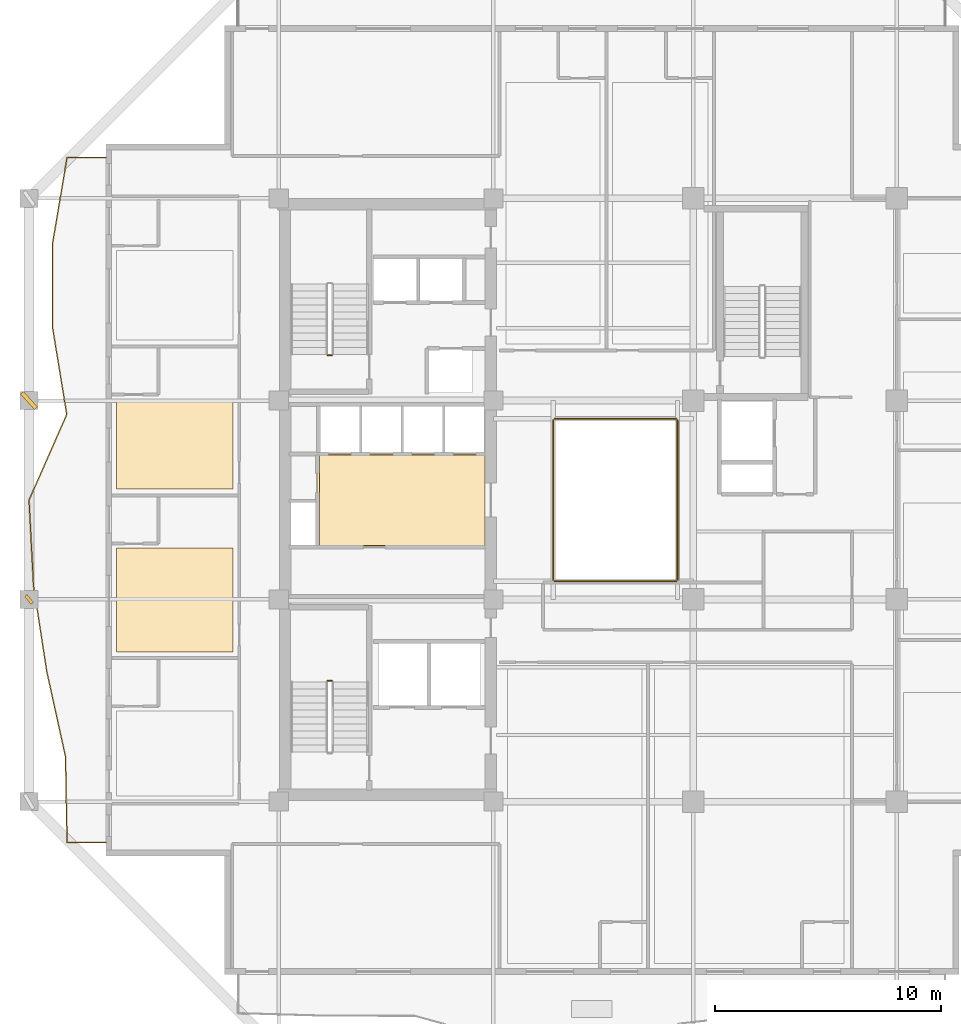
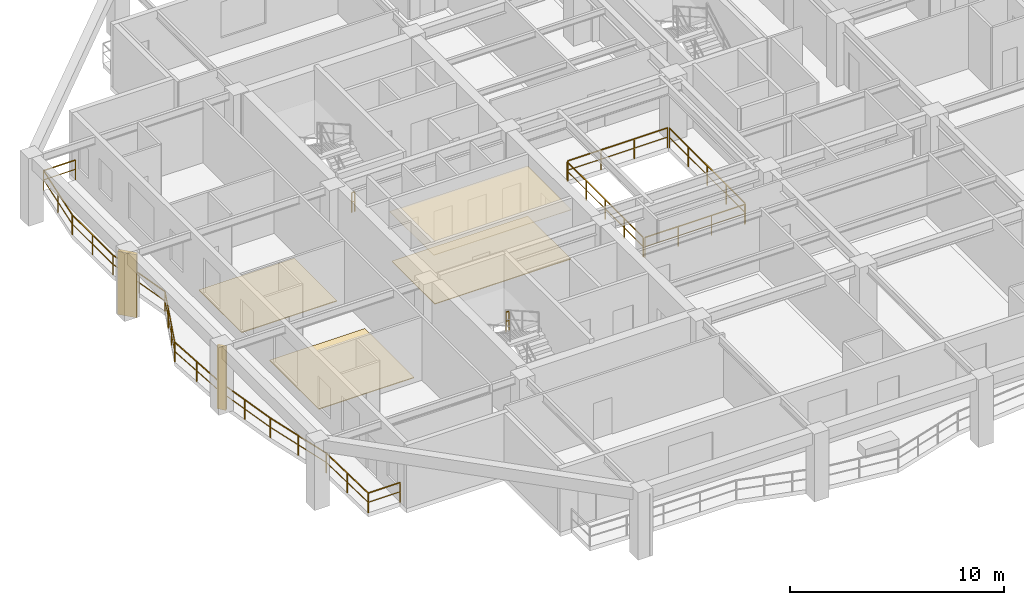
# One storey, part 9 of 13: 7 railings, 4 coverings, 2 shading devices.
"""IFC4 building model written with IfcOpenShell, lengths in metres."""

from ifc_helpers import new_model, si_unit, direction, frame, origin, origin_2d, place, context, subcontext, project, spatial, polyline, rectangle, outline, extrude, material, layer, layer_set, type_object, element, save


model = new_model("IFC4")

# Units and contexts
model_context = context("Model", 3, precision=1e-05, world=origin(), true_north=direction((0.0, 1.0)))
body_context = subcontext(model_context, "Body", "Model", "MODEL_VIEW")
ifc_project = project(units=[si_unit("LENGTHUNIT", "METRE"), si_unit("AREAUNIT", "SQUARE_METRE"), si_unit("VOLUMEUNIT", "CUBIC_METRE"), si_unit("PLANEANGLEUNIT", "RADIAN"), si_unit("MASSUNIT", "GRAM", prefix="KILO")], contexts=[model_context])

# Site, building, storey
site_placement = place(None, origin())
site = spatial("IfcSite", under=ifc_project, at=site_placement, CompositionType="ELEMENT")
building_placement = place(site_placement, origin())
building = spatial("IfcBuilding", under=site, at=building_placement, Name="Kundavana Baori Tower", CompositionType="ELEMENT")
storey_placement = place(building_placement, frame((0.0, 0.0, 161.75)))
storey = spatial("IfcBuildingStorey", under=building, at=storey_placement, Name="L39", CompositionType="ELEMENT", Elevation=161.75)

# Coverings
ifc_material_1 = material(Name="Honed Kota Stone and Terrazzo Flooring", Category="masonry")
ifc_layer_1 = layer(ifc_material_1, 0.0400390625, Name="COV-FLR-TERR-40")
ifc_layer_set_1 = layer_set([ifc_layer_1], Name="Honed Kota Stone and Terrazzo Flooring")
covering_type_1 = type_object("IfcCoveringType", Name="COV-FLR-TERR-40", PredefinedType="FLOORING", material=ifc_layer_set_1)
covering_1_placement = place(storey_placement, origin())
element("IfcCovering", 1, at=covering_1_placement, inside=storey, type_object=covering_type_1, Name="L39 Room Finished Stone Flooring 2", PredefinedType="FLOORING", context=body_context, shape_type="SweptSolid", body=[
    extrude(outline(polyline([(8.280029296875, 21.8798828125), (13.419921875, 21.8798828125), (13.419921875, 26.469970703125), (8.280029296875, 26.469970703125), (8.280029296875, 21.8798828125)])), origin(), (0.0, 0.0, 1.0), 0.0400390625),
])
covering_2_placement = place(storey_placement, origin())
element("IfcCovering", 2, at=covering_2_placement, inside=storey, type_object=covering_type_1, Name="L39 Room Finished Stone Flooring 3", PredefinedType="FLOORING", context=body_context, shape_type="SweptSolid", body=[
    extrude(outline(polyline([(8.280029296875, 29.080078125), (13.419921875, 29.080078125), (13.419921875, 33.070068359375), (8.280029296875, 33.070068359375), (8.280029296875, 29.080078125)])), origin(), (0.0, 0.0, 1.0), 0.0400390625),
])
covering_3_placement = place(storey_placement, origin())
element("IfcCovering", 3, at=covering_3_placement, inside=storey, type_object=covering_type_1, Name="L39 Core Lift Lobby Kota Stone Flooring", PredefinedType="FLOORING", context=body_context, shape_type="SweptSolid", body=[
    extrude(outline(polyline([(17.25, 26.580078125), (24.580078125, 26.580078125), (24.580078125, 30.60009765625), (17.25, 30.60009765625), (17.25, 26.580078125)])), origin(), (0.0, 0.0, 1.0), 0.0400390625),
])
ifc_material_2 = material(Name="Perforated Acoustic Mineral Fibre Ceiling Board")
ifc_layer_2 = layer(ifc_material_2, 0.02490234375, Name="COV-INT-CEIL")
ifc_layer_set_2 = layer_set([ifc_layer_2], Name="Perforated Acoustic Mineral Fibre Ceiling Board")
covering_type_2 = type_object("IfcCoveringType", Name="COV-INT-CEIL", PredefinedType="CEILING", material=ifc_layer_set_2)
covering_4_placement = place(storey_placement, frame((0.0, 0.0, 2.85009765625)))
element("IfcCovering", 4, at=covering_4_placement, inside=storey, type_object=covering_type_2, Name="L39 Core Lift Lobby Acoustic Ceiling", PredefinedType="CEILING", context=body_context, shape_type="SweptSolid", body=[
    extrude(outline(polyline([(17.159912109375, 26.52001953125), (24.580078125, 26.52001953125), (24.580078125, 30.639892578125), (17.159912109375, 30.639892578125), (17.159912109375, 26.52001953125)])), origin(), (0.0, 0.0, 1.0), 0.02490234375),
])

# Railings
ifc_material_3 = material(Name="Architectural Patinated Bronze Metalwork")
railing_type_1 = type_object("IfcRailingType", Name="RL-BAL-1150", PredefinedType="BALUSTRADE", material=ifc_material_3)
railing_1_placement = place(storey_placement, frame((7.800048828125, 13.449951171875, 0.0)))
element("IfcRailing", 5, at=railing_1_placement, inside=storey, type_object=railing_type_1, Name="L39 Loggia Balcony Balustrade W", PredefinedType="BALUSTRADE", context=body_context, shape_type="SweptSolid", body=[
    extrude(rectangle(XDim=0.048095703125, YDim=0.048095703125, at=origin_2d()), frame((0.0, 0.0, 1.1259765625), z_axis=(-1.0, 0.0, 0.0), x_axis=(0.0, -1.0, 0.0)), (0.0, 0.0, 1.0), 1.719970703125),
    extrude(rectangle(XDim=0.03125, YDim=0.03125, at=origin_2d()), frame((0.0, 0.0, 0.597900390625), z_axis=(-1.0, 0.0, 0.0), x_axis=(0.0, -1.0, 0.0)), (0.0, 0.0, 1.0), 1.719970703125),
    extrude(rectangle(XDim=0.048095703125, YDim=0.048095703125, at=origin_2d()), frame((-1.719970703125, 0.0, 1.1259765625), z_axis=(-0.018236203852, 0.999833706608, 0.0), x_axis=(-0.999833706608, -0.018236203852, 0.0)), (0.0, 0.0, 1.0), 3.788818359375),
    extrude(rectangle(XDim=0.03125, YDim=0.03125, at=origin_2d()), frame((-1.719970703125, 0.0, 0.597900390625), z_axis=(-0.018236203852, 0.999833706608, 0.0), x_axis=(-0.999833706608, -0.018236203852, 0.0)), (0.0, 0.0, 1.0), 3.788818359375),
    extrude(rectangle(XDim=0.048095703125, YDim=0.048095703125, at=origin_2d()), frame((-1.7890625, 3.7880859375, 1.1259765625), z_axis=(-0.214836558169, 0.976650015755, 0.0), x_axis=(-0.976650015755, -0.214836558169, 0.0)), (0.0, 0.0, 1.0), 3.87744140625),
    extrude(rectangle(XDim=0.03125, YDim=0.03125, at=origin_2d()), frame((-1.7890625, 3.7880859375, 0.597900390625), z_axis=(-0.214836558169, 0.976650015755, 0.0), x_axis=(-0.976650015755, -0.214836558169, 0.0)), (0.0, 0.0, 1.0), 3.87744140625),
    extrude(rectangle(XDim=0.048095703125, YDim=0.048095703125, at=origin_2d()), frame((-2.6220703125, 7.574951171875, 1.1259765625), z_axis=(-0.15165495858, 0.988433494747, 0.0), x_axis=(-0.988433494747, -0.15165495858, 0.0)), (0.0, 0.0, 1.0), 3.83154296875),
    extrude(rectangle(XDim=0.03125, YDim=0.03125, at=origin_2d()), frame((-2.6220703125, 7.574951171875, 0.597900390625), z_axis=(-0.15165495858, 0.988433494747, 0.0), x_axis=(-0.988433494747, -0.15165495858, 0.0)), (0.0, 0.0, 1.0), 3.83154296875),
    extrude(rectangle(XDim=0.048095703125, YDim=0.048095703125, at=origin_2d()), frame((-3.203125, 11.362060546875, 1.1259765625), z_axis=(-0.051940622011, 0.998650174879, 0.0), x_axis=(-0.998650174879, -0.051940622011, 0.0)), (0.0, 0.0, 1.0), 3.793212890625),
    extrude(rectangle(XDim=0.03125, YDim=0.03125, at=origin_2d()), frame((-3.203125, 11.362060546875, 0.597900390625), z_axis=(-0.051940622011, 0.998650174879, 0.0), x_axis=(-0.998650174879, -0.051940622011, 0.0)), (0.0, 0.0, 1.0), 3.793212890625),
    extrude(rectangle(XDim=0.048095703125, YDim=0.048095703125, at=origin_2d()), frame((-3.400146484375, 15.150146484375, 1.1259765625), z_axis=(0.402807807937, 0.915284584086, 0.0), x_axis=(-0.915284584086, 0.402807807937, 0.0)), (0.0, 0.0, 1.0), 4.138427734375),
    extrude(rectangle(XDim=0.03125, YDim=0.03125, at=origin_2d()), frame((-3.400146484375, 15.150146484375, 0.597900390625), z_axis=(0.402807807937, 0.915284584086, 0.0), x_axis=(-0.915284584086, 0.402807807937, 0.0)), (0.0, 0.0, 1.0), 4.138427734375),
    extrude(rectangle(XDim=0.048095703125, YDim=0.048095703125, at=origin_2d()), frame((-1.733154296875, 18.93798828125, 1.1259765625), z_axis=(-0.16177807389, 0.986827165622, 0.0), x_axis=(-0.986827165622, -0.16177807389, 0.0)), (0.0, 0.0, 1.0), 3.837646484375),
    extrude(rectangle(XDim=0.03125, YDim=0.03125, at=origin_2d()), frame((-1.733154296875, 18.93798828125, 0.597900390625), z_axis=(-0.16177807389, 0.986827165622, 0.0), x_axis=(-0.986827165622, -0.16177807389, 0.0)), (0.0, 0.0, 1.0), 3.837646484375),
    extrude(rectangle(XDim=0.048095703125, YDim=0.048095703125, at=origin_2d()), frame((-2.35400390625, 22.72509765625, 1.1259765625), z_axis=(-0.002127517589, 0.999997736832, 0.0), x_axis=(-0.999997736832, -0.002127517589, 0.0)), (0.0, 0.0, 1.0), 3.786865234375),
    extrude(rectangle(XDim=0.03125, YDim=0.03125, at=origin_2d()), frame((-2.35400390625, 22.72509765625, 0.597900390625), z_axis=(-0.002127517589, 0.999997736832, 0.0), x_axis=(-0.999997736832, -0.002127517589, 0.0)), (0.0, 0.0, 1.0), 3.786865234375),
    extrude(rectangle(XDim=0.048095703125, YDim=0.048095703125, at=origin_2d()), frame((-2.362060546875, 26.511962890625, 1.1259765625), z_axis=(0.167118699382, 0.985936783124, 0.0), x_axis=(-0.985936783124, 0.167118699382, 0.0)), (0.0, 0.0, 1.0), 3.842041015625),
    extrude(rectangle(XDim=0.03125, YDim=0.03125, at=origin_2d()), frame((-2.362060546875, 26.511962890625, 0.597900390625), z_axis=(0.167118699382, 0.985936783124, 0.0), x_axis=(-0.985936783124, 0.167118699382, 0.0)), (0.0, 0.0, 1.0), 3.842041015625),
    extrude(rectangle(XDim=0.048095703125, YDim=0.048095703125, at=origin_2d()), frame((-1.719970703125, 30.300048828125, 1.1259765625), z_axis=(1.0, 0.0, 0.0), x_axis=(0.0, 1.0, 0.0)), (0.0, 0.0, 1.0), 1.719970703125),
    extrude(rectangle(XDim=0.03125, YDim=0.03125, at=origin_2d()), frame((-1.719970703125, 30.300048828125, 0.597900390625), z_axis=(1.0, 0.0, 0.0), x_axis=(0.0, 1.0, 0.0)), (0.0, 0.0, 1.0), 1.719970703125),
    extrude(rectangle(XDim=0.0419921875, YDim=0.0419921875, at=origin_2d()), origin(), (0.0, 0.0, 1.0), 1.101806640625),
    extrude(rectangle(XDim=0.0419921875, YDim=0.0419921875, at=origin_2d()), frame((-1.719970703125, 0.0, 0.0)), (0.0, 0.0, 1.0), 1.101806640625),
    extrude(rectangle(XDim=0.0419921875, YDim=0.0419921875, at=origin_2d()), frame((-1.75439453125, 1.89404296875, 0.0)), (0.0, 0.0, 1.0), 1.101806640625),
    extrude(rectangle(XDim=0.0419921875, YDim=0.0419921875, at=origin_2d()), frame((-1.7890625, 3.7880859375, 0.0)), (0.0, 0.0, 1.0), 1.101806640625),
    extrude(rectangle(XDim=0.0419921875, YDim=0.0419921875, at=origin_2d()), frame((-2.20556640625, 5.681640625, 0.0)), (0.0, 0.0, 1.0), 1.101806640625),
    extrude(rectangle(XDim=0.0419921875, YDim=0.0419921875, at=origin_2d()), frame((-2.6220703125, 7.574951171875, 0.0)), (0.0, 0.0, 1.0), 1.101806640625),
    extrude(rectangle(XDim=0.0419921875, YDim=0.0419921875, at=origin_2d()), frame((-2.91259765625, 9.468505859375, 0.0)), (0.0, 0.0, 1.0), 1.101806640625),
    extrude(rectangle(XDim=0.0419921875, YDim=0.0419921875, at=origin_2d()), frame((-3.203125, 11.362060546875, 0.0)), (0.0, 0.0, 1.0), 1.101806640625),
    extrude(rectangle(XDim=0.0419921875, YDim=0.0419921875, at=origin_2d()), frame((-3.3017578125, 13.256103515625, 0.0)), (0.0, 0.0, 1.0), 1.101806640625),
    extrude(rectangle(XDim=0.0419921875, YDim=0.0419921875, at=origin_2d()), frame((-3.400146484375, 15.150146484375, 0.0)), (0.0, 0.0, 1.0), 1.101806640625),
    extrude(rectangle(XDim=0.0419921875, YDim=0.0419921875, at=origin_2d()), frame((-2.844482421875, 16.412841796875, 0.0)), (0.0, 0.0, 1.0), 1.101806640625),
    extrude(rectangle(XDim=0.0419921875, YDim=0.0419921875, at=origin_2d()), frame((-2.288818359375, 17.67529296875, 0.0)), (0.0, 0.0, 1.0), 1.101806640625),
    extrude(rectangle(XDim=0.0419921875, YDim=0.0419921875, at=origin_2d()), frame((-1.733154296875, 18.93798828125, 0.0)), (0.0, 0.0, 1.0), 1.101806640625),
    extrude(rectangle(XDim=0.0419921875, YDim=0.0419921875, at=origin_2d()), frame((-2.04345703125, 20.83154296875, 0.0)), (0.0, 0.0, 1.0), 1.101806640625),
    extrude(rectangle(XDim=0.0419921875, YDim=0.0419921875, at=origin_2d()), frame((-2.35400390625, 22.72509765625, 0.0)), (0.0, 0.0, 1.0), 1.101806640625),
    extrude(rectangle(XDim=0.0419921875, YDim=0.0419921875, at=origin_2d()), frame((-2.35791015625, 24.61865234375, 0.0)), (0.0, 0.0, 1.0), 1.101806640625),
    extrude(rectangle(XDim=0.0419921875, YDim=0.0419921875, at=origin_2d()), frame((-2.362060546875, 26.511962890625, 0.0)), (0.0, 0.0, 1.0), 1.101806640625),
    extrude(rectangle(XDim=0.0419921875, YDim=0.0419921875, at=origin_2d()), frame((-2.041015625, 28.406005859375, 0.0)), (0.0, 0.0, 1.0), 1.101806640625),
    extrude(rectangle(XDim=0.0419921875, YDim=0.0419921875, at=origin_2d()), frame((-1.719970703125, 30.300048828125, 0.0)), (0.0, 0.0, 1.0), 1.101806640625),
    extrude(rectangle(XDim=0.0419921875, YDim=0.0419921875, at=origin_2d()), frame((0.0, 30.300048828125, 0.0)), (0.0, 0.0, 1.0), 1.101806640625),
])
ifc_material_4 = material(Name="Architectural Patinated Bronze Metalwork")
railing_type_2 = type_object("IfcRailingType", Name="RL-GRD-1150", PredefinedType="GUARDRAIL", material=ifc_material_4)
for number, where, name in (
    (6, (17.7900390625, 20.60009765625, 1.925048828125), "L39 ST1 stair guard 2"),
    (7, (17.7900390625, 35.0, 0.0), "L39 ST2 stair guard 4"),
):
    element("IfcRailing", number, at=place(storey_placement, frame(where)), inside=storey, type_object=railing_type_2, Name=name, PredefinedType="GUARDRAIL", context=body_context, shape_type="SweptSolid", body=[
        extrude(rectangle(XDim=0.048095703125, YDim=0.048095703125, at=origin_2d()), frame((0.0, 0.0, 1.1259765625), z_axis=(-1.0, 0.0, 0.0), x_axis=(0.0, -1.0, 0.0)), (0.0, 0.0, 1.0), 0.16015625),
        extrude(rectangle(XDim=0.03125, YDim=0.03125, at=origin_2d()), frame((0.0, 0.0, 0.597900390625), z_axis=(-1.0, 0.0, 0.0), x_axis=(0.0, -1.0, 0.0)), (0.0, 0.0, 1.0), 0.16015625),
        extrude(rectangle(XDim=0.0419921875, YDim=0.0419921875, at=origin_2d()), origin(), (0.0, 0.0, 1.0), 1.101806640625),
        extrude(rectangle(XDim=0.0419921875, YDim=0.0419921875, at=origin_2d()), frame((-0.16015625, 0.0, 0.0)), (0.0, 0.0, 1.0), 1.101806640625),
    ])
railing_2_placement = place(storey_placement, frame((27.659912109375, 25.0, 0.0)))
element("IfcRailing", 8, at=railing_2_placement, inside=storey, type_object=railing_type_2, Name="L39 Atrium Void Perimeter Guardrail S", PredefinedType="GUARDRAIL", context=body_context, shape_type="SweptSolid", body=[
    extrude(rectangle(XDim=0.048095703125, YDim=0.048095703125, at=origin_2d()), frame((0.0, 0.0, 1.1259765625), z_axis=(1.0, 0.0, 0.0), x_axis=(0.0, 1.0, 0.0)), (0.0, 0.0, 1.0), 5.380126953125),
    extrude(rectangle(XDim=0.03125, YDim=0.03125, at=origin_2d()), frame((0.0, 0.0, 0.597900390625), z_axis=(1.0, 0.0, 0.0), x_axis=(0.0, 1.0, 0.0)), (0.0, 0.0, 1.0), 5.380126953125),
    extrude(rectangle(XDim=0.0419921875, YDim=0.0419921875, at=origin_2d()), origin(), (0.0, 0.0, 1.0), 1.101806640625),
    extrude(rectangle(XDim=0.0419921875, YDim=0.0419921875, at=origin_2d()), frame((1.79345703125, 0.0, 0.0)), (0.0, 0.0, 1.0), 1.101806640625),
    extrude(rectangle(XDim=0.0419921875, YDim=0.0419921875, at=origin_2d()), frame((3.586669921875, 0.0, 0.0)), (0.0, 0.0, 1.0), 1.101806640625),
    extrude(rectangle(XDim=0.0419921875, YDim=0.0419921875, at=origin_2d()), frame((5.380126953125, 0.0, 0.0)), (0.0, 0.0, 1.0), 1.101806640625),
])
railing_3_placement = place(storey_placement, frame((33.10009765625, 25.06005859375, 0.0)))
element("IfcRailing", 9, at=railing_3_placement, inside=storey, type_object=railing_type_2, Name="L39 Atrium Void Perimeter Guardrail E", PredefinedType="GUARDRAIL", context=body_context, shape_type="SweptSolid", body=[
    extrude(rectangle(XDim=0.048095703125, YDim=0.048095703125, at=origin_2d()), frame((0.0, 0.0, 1.1259765625), z_axis=(0.0, 1.0, 0.0), x_axis=(-1.0, 0.0, 0.0)), (0.0, 0.0, 1.0), 7.079833984375),
    extrude(rectangle(XDim=0.03125, YDim=0.03125, at=origin_2d()), frame((0.0, 0.0, 0.597900390625), z_axis=(0.0, 1.0, 0.0), x_axis=(-1.0, 0.0, 0.0)), (0.0, 0.0, 1.0), 7.079833984375),
    extrude(rectangle(XDim=0.0419921875, YDim=0.0419921875, at=origin_2d()), origin(), (0.0, 0.0, 1.0), 1.101806640625),
    extrude(rectangle(XDim=0.0419921875, YDim=0.0419921875, at=origin_2d()), frame((0.0, 1.77001953125, 0.0)), (0.0, 0.0, 1.0), 1.101806640625),
    extrude(rectangle(XDim=0.0419921875, YDim=0.0419921875, at=origin_2d()), frame((0.0, 3.5400390625, 0.0)), (0.0, 0.0, 1.0), 1.101806640625),
    extrude(rectangle(XDim=0.0419921875, YDim=0.0419921875, at=origin_2d()), frame((0.0, 5.309814453125, 0.0)), (0.0, 0.0, 1.0), 1.101806640625),
    extrude(rectangle(XDim=0.0419921875, YDim=0.0419921875, at=origin_2d()), frame((0.0, 7.079833984375, 0.0)), (0.0, 0.0, 1.0), 1.101806640625),
])
railing_4_placement = place(storey_placement, frame((33.0400390625, 32.199951171875, 0.0)))
element("IfcRailing", 10, at=railing_4_placement, inside=storey, type_object=railing_type_2, Name="L39 Atrium Void Perimeter Guardrail N", PredefinedType="GUARDRAIL", context=body_context, shape_type="SweptSolid", body=[
    extrude(rectangle(XDim=0.048095703125, YDim=0.048095703125, at=origin_2d()), frame((0.0, 0.0, 1.1259765625), z_axis=(-1.0, 0.0, 0.0), x_axis=(0.0, -1.0, 0.0)), (0.0, 0.0, 1.0), 5.380126953125),
    extrude(rectangle(XDim=0.03125, YDim=0.03125, at=origin_2d()), frame((0.0, 0.0, 0.597900390625), z_axis=(-1.0, 0.0, 0.0), x_axis=(0.0, -1.0, 0.0)), (0.0, 0.0, 1.0), 5.380126953125),
    extrude(rectangle(XDim=0.0419921875, YDim=0.0419921875, at=origin_2d()), origin(), (0.0, 0.0, 1.0), 1.101806640625),
    extrude(rectangle(XDim=0.0419921875, YDim=0.0419921875, at=origin_2d()), frame((-1.79345703125, 0.0, 0.0)), (0.0, 0.0, 1.0), 1.101806640625),
    extrude(rectangle(XDim=0.0419921875, YDim=0.0419921875, at=origin_2d()), frame((-3.586669921875, 0.0, 0.0)), (0.0, 0.0, 1.0), 1.101806640625),
    extrude(rectangle(XDim=0.0419921875, YDim=0.0419921875, at=origin_2d()), frame((-5.380126953125, 0.0, 0.0)), (0.0, 0.0, 1.0), 1.101806640625),
])
railing_5_placement = place(storey_placement, frame((27.60009765625, 32.139892578125, 0.0)))
element("IfcRailing", 11, at=railing_5_placement, inside=storey, type_object=railing_type_2, Name="L39 Atrium Void Perimeter Guardrail W", PredefinedType="GUARDRAIL", context=body_context, shape_type="SweptSolid", body=[
    extrude(rectangle(XDim=0.048095703125, YDim=0.048095703125, at=origin_2d()), frame((0.0, 0.0, 1.1259765625), z_axis=(0.0, -1.0, 0.0), x_axis=(1.0, 0.0, 0.0)), (0.0, 0.0, 1.0), 7.079833984375),
    extrude(rectangle(XDim=0.03125, YDim=0.03125, at=origin_2d()), frame((0.0, 0.0, 0.597900390625), z_axis=(0.0, -1.0, 0.0), x_axis=(1.0, 0.0, 0.0)), (0.0, 0.0, 1.0), 7.079833984375),
    extrude(rectangle(XDim=0.0419921875, YDim=0.0419921875, at=origin_2d()), origin(), (0.0, 0.0, 1.0), 1.101806640625),
    extrude(rectangle(XDim=0.0419921875, YDim=0.0419921875, at=origin_2d()), frame((0.0, -1.77001953125, 0.0)), (0.0, 0.0, 1.0), 1.101806640625),
    extrude(rectangle(XDim=0.0419921875, YDim=0.0419921875, at=origin_2d()), frame((0.0, -3.5400390625, 0.0)), (0.0, 0.0, 1.0), 1.101806640625),
    extrude(rectangle(XDim=0.0419921875, YDim=0.0419921875, at=origin_2d()), frame((0.0, -5.309814453125, 0.0)), (0.0, 0.0, 1.0), 1.101806640625),
    extrude(rectangle(XDim=0.0419921875, YDim=0.0419921875, at=origin_2d()), frame((0.0, -7.079833984375, 0.0)), (0.0, 0.0, 1.0), 1.101806640625),
])

# Shading devices
ifc_material_5 = material(Name="Red-Buff Dholpur Sandstone Cladding on Concrete C40/50", Category="masonry")
shading_device_type_1 = type_object("IfcShadingDeviceType", Name="SHD-FIN-920", PredefinedType="JALOUSIE", material=ifc_material_5)
shading_device_1_placement = place(storey_placement, frame((4.39990234375, 33.0, 0.0), z_axis=(0.0, 0.0, 1.0), x_axis=(0.746173581973, 0.665751444284, 0.0)))
element("IfcShadingDevice", 12, at=shading_device_1_placement, inside=storey, type_object=shading_device_type_1, Name="L39 Sweeping Dholpur Sandstone Facade Fin 7", PredefinedType="JALOUSIE", context=body_context, shape_type="SweptSolid", body=[
    extrude(rectangle(XDim=0.179931640625, YDim=0.919921875, at=origin_2d()), origin(), (0.0, 0.0, 1.0), 3.60009765625),
])
ifc_material_6 = material(Name="Architectural Patinated Bronze Metalwork")
shading_device_type_2 = type_object("IfcShadingDeviceType", Name="SHD-LOUV-450", PredefinedType="SHUTTER", material=ifc_material_6)
shading_device_2_placement = place(storey_placement, frame((4.39990234375, 24.199951171875, 0.0), z_axis=(0.0, 0.0, 1.0), x_axis=(0.775165061333, 0.631758757508, 0.0)))
element("IfcShadingDevice", 13, at=shading_device_2_placement, inside=storey, type_object=shading_device_type_2, Name="L39 Sweeping Dholpur Sandstone Facade Fin 6", PredefinedType="SHUTTER", context=body_context, shape_type="SweptSolid", body=[
    extrude(rectangle(XDim=0.139892578125, YDim=0.449951171875, at=origin_2d()), origin(), (0.0, 0.0, 1.0), 3.60009765625),
])

save(model, "model.ifc")
